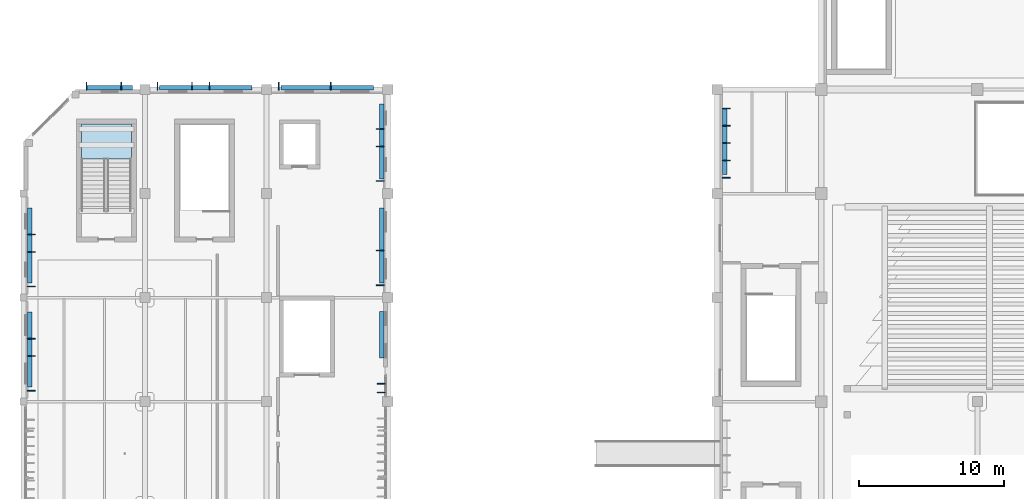
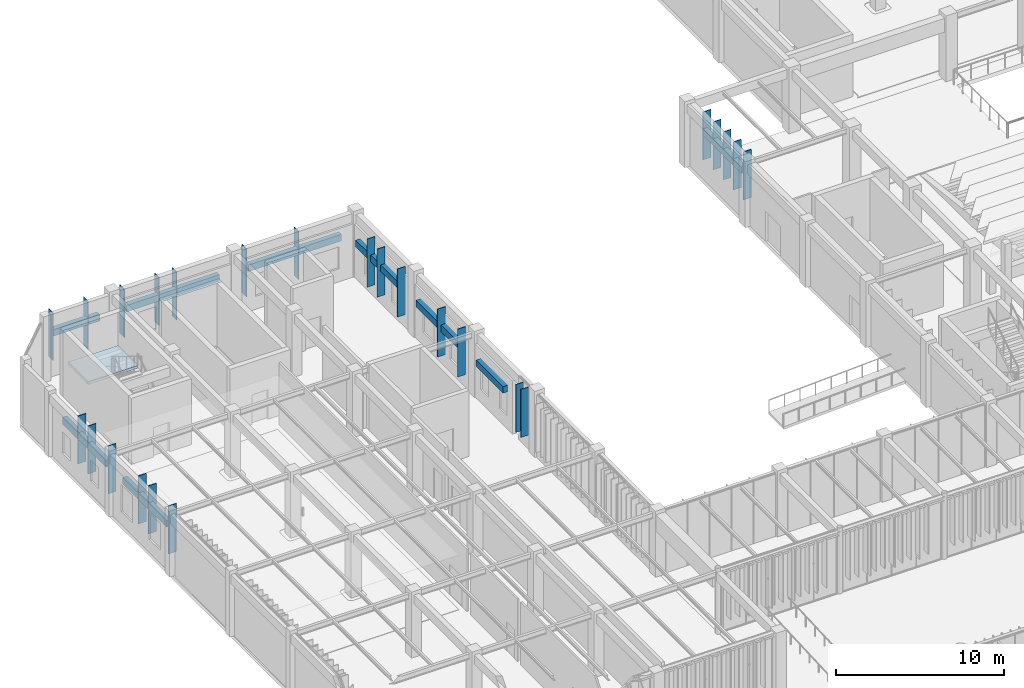
# One storey, part 22 of 122: 34 plates, 1 slab, 1 element without a shape of its own.
"""IFC4 building model written with IfcOpenShell, lengths in metres."""

from ifc_helpers import new_model, si_unit, direction, frame, origin, origin_2d, place, context, subcontext, project, spatial, polyline, rectangle, outline, extrude, material, layer, layer_set, type_object, element, aggregate, save


model = new_model("IFC4")

# Units and contexts
model_context = context("Model", 3, precision=1e-05, world=origin(), true_north=direction((0.0, 1.0)))
body_context = subcontext(model_context, "Body", "Model", "MODEL_VIEW")
ifc_project = project(units=[si_unit("LENGTHUNIT", "METRE"), si_unit("AREAUNIT", "SQUARE_METRE"), si_unit("VOLUMEUNIT", "CUBIC_METRE"), si_unit("PLANEANGLEUNIT", "RADIAN"), si_unit("MASSUNIT", "GRAM", prefix="KILO")], contexts=[model_context])

# Site, building, storey
site_placement = place(None, origin())
site = spatial("IfcSite", under=ifc_project, at=site_placement, CompositionType="ELEMENT")
building_placement = place(site_placement, origin())
building = spatial("IfcBuilding", under=site, at=building_placement, Name="Tazoul Stagehouse", CompositionType="ELEMENT")
storey_placement = place(building_placement, origin())
storey = spatial("IfcBuildingStorey", under=building, at=storey_placement, Name="L00", CompositionType="ELEMENT", Elevation=0.0)

# Stair, slab
ifc_material_1 = material(Name="Concrete C40/50", Category="concrete")
stair_type = type_object("IfcStairType", Name="Protected Core Dogleg Stair 3900", PredefinedType="HALF_TURN_STAIR", material=ifc_material_1)
stair_placement = place(storey_placement, origin())
stair = element("IfcStair", 1, at=stair_placement, inside=storey, type_object=stair_type, Name="L00 Core Escape Stair ST-06", PredefinedType="HALF_TURN_STAIR")
ifc_layer_1 = layer(ifc_material_1, 0.179931640625, Name="Concrete C40/50")
ifc_layer_set_1 = layer_set([ifc_layer_1], Name="Concrete C40/50")
slab_type = type_object("IfcSlabType", Name="Core Half-Landing Slab 180", PredefinedType="LANDING", material=ifc_layer_set_1)
slab_placement = place(storey_placement, frame((0.0, 0.0, 2.199951171875)))
slab = element("IfcSlab", 2, at=slab_placement, type_object=slab_type, Name="ST-06 landing 1", PredefinedType="LANDING", context=body_context, shape_type="SweptSolid", body=[
    extrude(outline(polyline([(9.85009765625, 83.0), (9.85009765625, 85.39990234375), (6.39990234375, 85.39990234375), (6.39990234375, 83.0), (9.85009765625, 83.0)])), origin(), (0.0, 0.0, 1.0), 0.199951171875),
])
aggregate(stair, [slab])

# Plates
ifc_material_2 = material(Name="Anodised Bronze Aluminium 6063-T6", Category="aluminium")
ifc_layer_2 = layer(ifc_material_2, 0.550048828125, Name="Anodised Bronze Aluminium 6063-T6")
ifc_layer_set_2 = layer_set([ifc_layer_2], Name="Anodised Bronze Aluminium 6063-T6")
plate_type_1 = type_object("IfcPlateType", Name="Parametric Terracotta-Bronze Solar Fin 550x3500", PredefinedType="USERDEFINED", material=ifc_layer_set_2)
for number, where, z_axis, x_axis, name in (
    (3, (2.93505859375, 66.955078125, 0.919921875), (0.0, 0.0, 1.0), (0.0, 1.0, 0.0), "L00 Parametric Solar Fin SFN-21 (WALL-V6-W2-L00-S1-01)"),
    (4, (2.93505859375, 69.35498046875, 0.919921875), (0.0, 0.0, 1.0), (0.0, 1.0, 0.0), "L00 Parametric Solar Fin SFN-21 (WALL-V6-W2-L00-S1-03)"),
    (5, (2.93505859375, 70.554931640625, 0.919921875), (0.0, 0.0, 1.0), (0.0, 1.0, 0.0), "L00 Parametric Solar Fin SFN-21 (WALL-V6-W2-L00-S1-04)"),
    (6, (2.93505859375, 74.155029296875, 0.919921875), (0.0, 0.0, 1.0), (0.0, 1.0, 0.0), "L00 Parametric Solar Fin SFN-21 (WALL-V6-W2-L00-S2-01)"),
    (7, (2.93505859375, 76.554931640625, 0.919921875), (0.0, 0.0, 1.0), (0.0, 1.0, 0.0), "L00 Parametric Solar Fin SFN-21 (WALL-V6-W2-L00-S2-03)"),
    (8, (2.93505859375, 77.7548828125, 0.919921875), (0.0, 0.0, 1.0), (0.0, 1.0, 0.0), "L00 Parametric Solar Fin SFN-21 (WALL-V6-W2-L00-S2-04)"),
    (9, (6.7548828125, 88.034912109375, 0.919921875), (0.0, 0.0, 1.0), (1.0, 0.0, 0.0), "L00 Parametric Solar Fin SFN-21 (WALL-V6-N-L00-S1-01)"),
    (10, (9.155029296875, 88.034912109375, 0.919921875), (0.0, 0.0, 1.0), (1.0, 0.0, 0.0), "L00 Parametric Solar Fin SFN-21 (WALL-V6-N-L00-S1-03)"),
    (11, (11.655029296875, 88.034912109375, 0.919921875), (0.0, 0.0, 1.0), (1.0, 0.0, 0.0), "L00 Parametric Solar Fin SFN-21 (WALL-V6-N-L00-S2-01)"),
    (12, (14.054931640625, 88.034912109375, 0.919921875), (0.0, 0.0, 1.0), (1.0, 0.0, 0.0), "L00 Parametric Solar Fin SFN-21 (WALL-V6-N-L00-S2-03)"),
    (13, (15.2548828125, 88.034912109375, 0.919921875), (0.0, 0.0, 1.0), (1.0, 0.0, 0.0), "L00 Parametric Solar Fin SFN-21 (WALL-V6-N-L00-S2-04)"),
    (14, (20.054931640625, 88.034912109375, 0.919921875), (0.0, 0.0, 1.0), (1.0, 0.0, 0.0), "L00 Parametric Solar Fin SFN-21 (WALL-V6-N-L00-S3-01)"),
    (15, (23.655029296875, 88.034912109375, 0.919921875), (0.0, 0.0, 1.0), (1.0, 0.0, 0.0), "L00 Parametric Solar Fin SFN-21 (WALL-V6-N-L00-S3-04)"),
    (16, (27.135009765625, 66.840087890625, 0.989990234375), (0.0, 0.0, 1.0), (0.0, 1.0, 0.0), "L00 Parametric Solar Fin SFN-21 (CW-V6-E1-L00-B3-01)"),
    (17, (27.135009765625, 67.43994140625, 0.989990234375), (0.0, 0.0, 1.0), (0.0, 1.0, 0.0), "L00 Parametric Solar Fin SFN-21 (CW-V6-E1-L00-B3-02)"),
    (18, (27.06494140625, 74.2548828125, 0.919921875), (0.0, 0.0, 1.0), (0.0, 1.0, 0.0), "L00 Parametric Solar Fin SFN-21 (WALL-V6-E2-L00-S2-01)"),
    (19, (27.06494140625, 76.655029296875, 0.919921875), (0.0, 0.0, 1.0), (0.0, 1.0, 0.0), "L00 Parametric Solar Fin SFN-21 (WALL-V6-E2-L00-S2-03)"),
    (20, (27.06494140625, 81.455078125, 0.919921875), (0.0, 0.0, 1.0), (0.0, 1.0, 0.0), "L00 Parametric Solar Fin SFN-21 (WALL-V6-E2-L00-S3-01)"),
    (21, (27.06494140625, 83.85498046875, 0.919921875), (0.0, 0.0, 1.0), (0.0, 1.0, 0.0), "L00 Parametric Solar Fin SFN-21 (WALL-V6-E2-L00-S3-03)"),
    (22, (27.06494140625, 85.054931640625, 0.919921875), (0.0, 0.0, 1.0), (0.0, 1.0, 0.0), "L00 Parametric Solar Fin SFN-21 (WALL-V6-E2-L00-S3-04)"),
    (23, (51.02490234375, 81.68994140625, 0.919921875), (0.0, 0.0, 1.0), (0.0, 1.0, 0.0), "L00 Parametric Solar Fin SFN-21 (WALL-V1-W-L00-S1-B5-01)"),
    (24, (51.02490234375, 82.889892578125, 0.919921875), (0.0, 0.0, 1.0), (0.0, 1.0, 0.0), "L00 Parametric Solar Fin SFN-21 (WALL-V1-W-L00-S1-B5-02)"),
    (25, (51.02490234375, 84.090087890625, 0.919921875), (0.0, 0.0, 1.0), (0.0, 1.0, 0.0), "L00 Parametric Solar Fin SFN-21 (WALL-V1-W-L00-S1-B5-03)"),
    (26, (51.02490234375, 85.2900390625, 0.919921875), (0.0, 0.0, 1.0), (0.0, 1.0, 0.0), "L00 Parametric Solar Fin SFN-21 (WALL-V1-W-L00-S1-B5-04)"),
    (27, (51.02490234375, 86.489990234375, 0.919921875), (0.0, 0.0, 1.0), (0.0, 1.0, 0.0), "L00 Parametric Solar Fin SFN-21 (WALL-V1-W-L00-S1-B5-05)"),
):
    element("IfcPlate", number, at=place(storey_placement, frame(where, z_axis=z_axis, x_axis=x_axis)), inside=storey, type_object=plate_type_1, Name=name, ObjectType="SOLAR FIN", PredefinedType="USERDEFINED", context=body_context, shape_type="SweptSolid", body=[
        extrude(rectangle(XDim=0.044921875, YDim=0.550048828125, at=origin_2d()), origin(), (0.0, 0.0, 1.0), 3.5),
    ])
ifc_layer_3 = layer(ifc_material_2, 0.320068359375, Name="Anodised Bronze Aluminium 6063-T6")
ifc_layer_set_3 = layer_set([ifc_layer_3], Name="Anodised Bronze Aluminium 6063-T6")
plate_type_2 = type_object("IfcPlateType", Name="Sculpted Facade Spandrel Ribbon 3200x480", PredefinedType="USERDEFINED", material=ifc_layer_set_3)
for number, where, z_axis, x_axis, name in (
    (28, (8.35009765625, 87.919921875, 2.7109375), (0.0, 0.0, 1.0), (1.0, 0.0, 0.0), "L00 Sculpted Facade Spandrel Ribbon FRB-04 (WALL-V6-N-L00-S1)"),
    (29, (27.179931640625, 70.822509765625, 2.7109375), (0.0, 0.0, 1.0), (0.0, 1.0, 0.0), "L00 Sculpted Facade Spandrel Ribbon FRB-04 (WALL-V6-E2-L00-S1)"),
):
    element("IfcPlate", number, at=place(storey_placement, frame(where, z_axis=z_axis, x_axis=x_axis)), inside=storey, type_object=plate_type_2, Name=name, ObjectType="FACADE RIBBON", PredefinedType="USERDEFINED", context=body_context, shape_type="SweptSolid", body=[
        extrude(rectangle(XDim=3.199951171875, YDim=0.320068359375, at=origin_2d()), origin(), (0.0, 0.0, 1.0), 0.47998046875),
    ])
ifc_layer_4 = layer(ifc_material_2, 0.320068359375, Name="Anodised Bronze Aluminium 6063-T6")
ifc_layer_set_4 = layer_set([ifc_layer_4], Name="Anodised Bronze Aluminium 6063-T6")
plate_type_3 = type_object("IfcPlateType", Name="Sculpted Facade Spandrel Ribbon 4600x480", PredefinedType="USERDEFINED", material=ifc_layer_set_4)
plate_placement = place(storey_placement, frame((50.909912109375, 84.199951171875, 2.7109375), z_axis=(0.0, 0.0, 1.0), x_axis=(0.0, 1.0, 0.0)))
element("IfcPlate", 30, at=plate_placement, inside=storey, type_object=plate_type_3, Name="L00 Sculpted Facade Spandrel Ribbon FRB-06 (WALL-V1-W-L00-S1-B5)", ObjectType="FACADE RIBBON", PredefinedType="USERDEFINED", context=body_context, shape_type="SweptSolid", body=[
    extrude(rectangle(XDim=4.60009765625, YDim=0.320068359375, at=origin_2d()), origin(), (0.0, 0.0, 1.0), 0.47998046875),
])
ifc_layer_5 = layer(ifc_material_2, 0.320068359375, Name="Anodised Bronze Aluminium 6063-T6")
ifc_layer_set_5 = layer_set([ifc_layer_5], Name="Anodised Bronze Aluminium 6063-T6")
plate_type_4 = type_object("IfcPlateType", Name="Sculpted Facade Spandrel Ribbon 5200x480", PredefinedType="USERDEFINED", material=ifc_layer_set_5)
for number, where, z_axis, x_axis, name in (
    (31, (2.820068359375, 69.800048828125, 2.7109375), (0.0, 0.0, 1.0), (0.0, 1.0, 0.0), "L00 Sculpted Facade Spandrel Ribbon FRB-07 (WALL-V6-W2-L00-S1)"),
    (32, (2.820068359375, 77.0, 2.7109375), (0.0, 0.0, 1.0), (0.0, 1.0, 0.0), "L00 Sculpted Facade Spandrel Ribbon FRB-07 (WALL-V6-W2-L00-S2)"),
    (33, (27.179931640625, 77.0, 2.7109375), (0.0, 0.0, 1.0), (0.0, 1.0, 0.0), "L00 Sculpted Facade Spandrel Ribbon FRB-07 (WALL-V6-E2-L00-S2)"),
    (34, (27.179931640625, 84.199951171875, 2.7109375), (0.0, 0.0, 1.0), (0.0, 1.0, 0.0), "L00 Sculpted Facade Spandrel Ribbon FRB-07 (WALL-V6-E2-L00-S3)"),
):
    element("IfcPlate", number, at=place(storey_placement, frame(where, z_axis=z_axis, x_axis=x_axis)), inside=storey, type_object=plate_type_4, Name=name, ObjectType="FACADE RIBBON", PredefinedType="USERDEFINED", context=body_context, shape_type="SweptSolid", body=[
        extrude(rectangle(XDim=5.199951171875, YDim=0.320068359375, at=origin_2d()), origin(), (0.0, 0.0, 1.0), 0.47998046875),
    ])
ifc_layer_6 = layer(ifc_material_2, 0.320068359375, Name="Anodised Bronze Aluminium 6063-T6")
ifc_layer_set_6 = layer_set([ifc_layer_6], Name="Anodised Bronze Aluminium 6063-T6")
plate_type_5 = type_object("IfcPlateType", Name="Sculpted Facade Spandrel Ribbon 6400x480", PredefinedType="USERDEFINED", material=ifc_layer_set_6)
for number, where, z_axis, x_axis, name in (
    (35, (15.0, 87.919921875, 2.7109375), (0.0, 0.0, 1.0), (1.0, 0.0, 0.0), "L00 Sculpted Facade Spandrel Ribbon FRB-09 (WALL-V6-N-L00-S2)"),
    (36, (23.39990234375, 87.919921875, 2.7109375), (0.0, 0.0, 1.0), (1.0, 0.0, 0.0), "L00 Sculpted Facade Spandrel Ribbon FRB-09 (WALL-V6-N-L00-S3)"),
):
    element("IfcPlate", number, at=place(storey_placement, frame(where, z_axis=z_axis, x_axis=x_axis)), inside=storey, type_object=plate_type_5, Name=name, ObjectType="FACADE RIBBON", PredefinedType="USERDEFINED", context=body_context, shape_type="SweptSolid", body=[
        extrude(rectangle(XDim=6.39990234375, YDim=0.320068359375, at=origin_2d()), origin(), (0.0, 0.0, 1.0), 0.47998046875),
    ])

save(model, "model.ifc")
